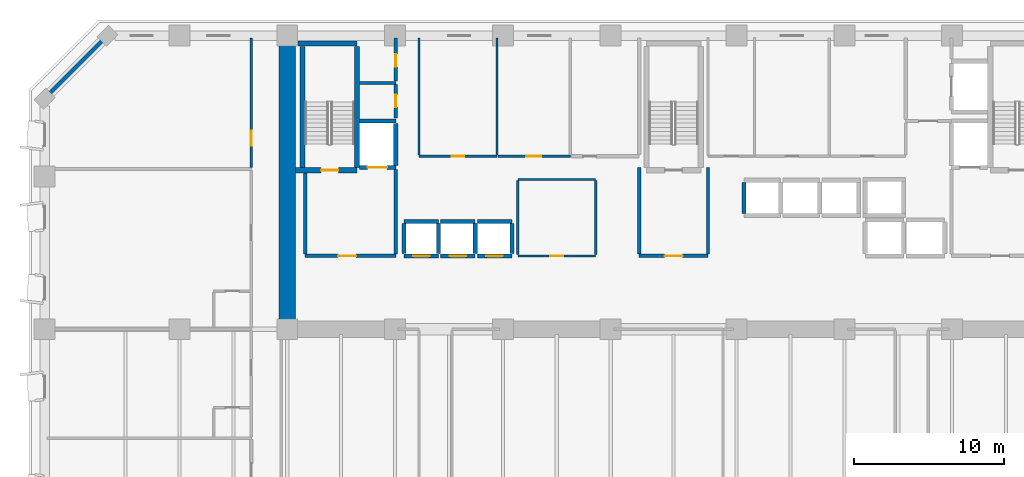
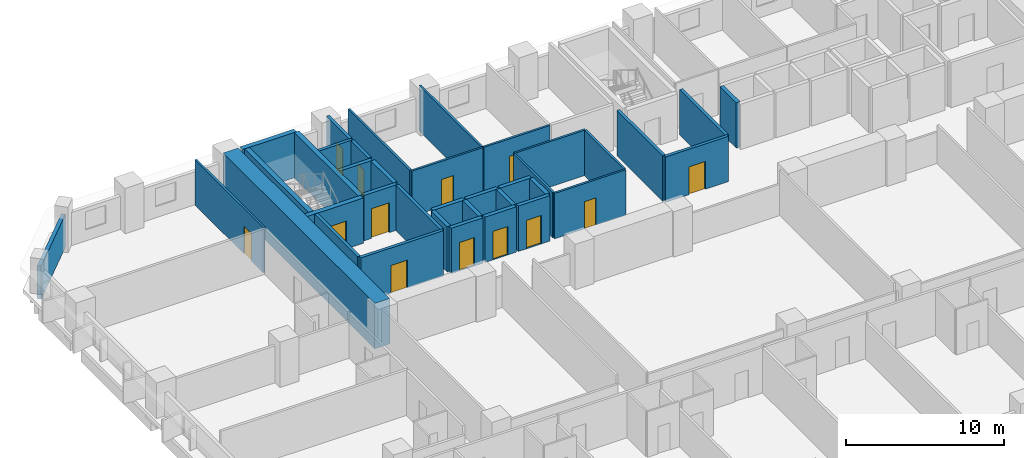
# One storey, part 7 of 15: 38 walls, 13 doors, 13 openings.
"""IFC4 building model written with IfcOpenShell, lengths in metres."""

import ifcopenshell
import ifcopenshell.guid

model = None  # the IFC model being written
_history = None  # IfcOwnerHistory: only IFC2X3 demands one
_inside = {}  # id of a spatial element -> (the spatial element, [elements in it])
_under = {}  # id of a project, library or spatial element -> (it, [spatial elements below it])
_declared = {}  # id of a project -> (the project, [libraries it declares])
_typed = {}  # id of a type object -> (the type object, [elements of that type])
_made_of = {}  # id of a material, layer set ... -> (it, [elements and type objects made of it])


def new_model(schema):
    """Start an empty IFC model of exactly this schema.

    Asked for "IFC4X3", IfcOpenShell would pick the latest addendum, in which some entities
    have other attributes; the version numbers below select the first issue.
    IFC2X3 requires an IfcOwnerHistory on every rooted entity: one is made here for all.
    """
    global model, _history
    if schema == "IFC4X3":
        model = ifcopenshell.file(schema_version=(4, 3, 0, 0))
    else:
        model = ifcopenshell.file(schema=schema)
    _inside.clear()
    _under.clear()
    _declared.clear()
    _typed.clear()
    _made_of.clear()
    _history = None
    if model.schema == "IFC2X3":
        org = make("IfcOrganization", Name="unknown")
        user = make(
            "IfcPersonAndOrganization",
            ThePerson=make("IfcPerson", FamilyName="unknown"),
            TheOrganization=org,
        )
        app = make(
            "IfcApplication",
            ApplicationDeveloper=org,
            Version="unknown",
            ApplicationFullName="unknown",
            ApplicationIdentifier="unknown",
        )
        _history = make(
            "IfcOwnerHistory",
            OwningUser=user,
            OwningApplication=app,
            ChangeAction="ADDED",
            CreationDate=0,
        )
    return model


def make(cls, **values):
    """One entity of the class cls with the attributes given. An attribute that is None is left unset."""
    return model.create_entity(
        cls, **{name: value for name, value in values.items() if value is not None}
    )


def rooted(cls, **values):
    """An entity with a GlobalId (a new one), such as an element, a storey or a relation."""
    return make(cls, GlobalId=ifcopenshell.guid.new(), OwnerHistory=_history, **values)


def si_unit(unit_type, name, prefix=None):
    """IfcSIUnit, for example si_unit("LENGTHUNIT", "METRE", prefix="MILLI")."""
    return make("IfcSIUnit", UnitType=unit_type, Prefix=prefix, Name=name)


def assignment(units):
    """IfcUnitAssignment: the units of a project."""
    return None if units is None else make("IfcUnitAssignment", Units=units)


def point(xyz):
    """IfcCartesianPoint."""
    return None if xyz is None else make("IfcCartesianPoint", Coordinates=xyz)


def direction(xyz):
    """IfcDirection."""
    return None if xyz is None else make("IfcDirection", DirectionRatios=xyz)


def frame(location, z_axis=None, x_axis=None):
    """IfcAxis2Placement3D, a coordinate frame: its origin and axes. An axis left out is left unset."""
    return make(
        "IfcAxis2Placement3D",
        Location=point(location),
        Axis=direction(z_axis),
        RefDirection=direction(x_axis),
    )


def frame_2d(location, x_axis=None):
    """IfcAxis2Placement2D, a coordinate frame in the plane: its origin and x axis."""
    return make(
        "IfcAxis2Placement2D", Location=point(location), RefDirection=direction(x_axis)
    )


def origin():
    """The frame at (0, 0, 0) with its axes left unset."""
    return frame((0.0, 0.0, 0.0))


def place(relative_to, where):
    """IfcLocalPlacement: puts the frame where relative to a parent placement (None: the world)."""
    return make(
        "IfcLocalPlacement", PlacementRelTo=relative_to, RelativePlacement=where
    )


def context(
    kind, dimensions, precision=None, world=None, true_north=None, identifier=None
):
    """IfcGeometricRepresentationContext, for example the 3D "Model" context."""
    return make(
        "IfcGeometricRepresentationContext",
        ContextIdentifier=identifier,
        ContextType=kind,
        CoordinateSpaceDimension=dimensions,
        Precision=precision,
        WorldCoordinateSystem=world,
        TrueNorth=true_north,
    )


def subcontext(parent, identifier, kind, view, scale=None):
    """IfcGeometricRepresentationSubContext, for example "Body" below "Model"."""
    return make(
        "IfcGeometricRepresentationSubContext",
        ContextIdentifier=identifier,
        ContextType=kind,
        ParentContext=parent,
        TargetScale=scale,
        TargetView=view,
    )


def project(units=None, contexts=None):
    """IfcProject with its units and contexts."""
    return rooted(
        "IfcProject",
        Name="project",
        RepresentationContexts=contexts,
        UnitsInContext=assignment(units),
    )


def spatial(cls, under=None, at=None, **own):
    """A site, building, storey or space (cls), placed at a placement, below another one or the project."""
    s = rooted(cls, ObjectPlacement=at, **own)
    if under is not None:
        _under.setdefault(under.id(), (under, []))[1].append(s)
    return s


def profile(cls, at=None, kind="AREA", **sizes):
    """A parametric profile (cls). Its sizes go by their IFC names, for example OverallWidth=200.0."""
    return make(cls, ProfileType=kind, Position=at, **sizes)


def rectangle(**sizes):
    """IfcRectangleProfileDef."""
    return profile("IfcRectangleProfileDef", **sizes)


def extrude(swept, where, along, depth):
    """IfcExtrudedAreaSolid: the profile swept, set in the frame where, extruded along a direction by depth."""
    return make(
        "IfcExtrudedAreaSolid",
        SweptArea=swept,
        Position=where,
        ExtrudedDirection=direction(along),
        Depth=depth,
    )


def shape(context_of_items, identifier, shape_type, items):
    """IfcShapeRepresentation: the items that make up one representation, for example the "Body"."""
    return make(
        "IfcShapeRepresentation",
        ContextOfItems=context_of_items,
        RepresentationIdentifier=identifier,
        RepresentationType=shape_type,
        Items=items,
    )


def material(Name=None, Category=None):
    """IfcMaterial."""
    return make("IfcMaterial", Name=Name, Category=Category)


def layer(
    of_material, thickness, ventilated=None, Name=None, Category=None, Priority=None
):
    """IfcMaterialLayer: one layer of a wall or slab, of a material (None: an air gap)."""
    return make(
        "IfcMaterialLayer",
        Material=of_material,
        LayerThickness=thickness,
        IsVentilated=ventilated,
        Name=Name,
        Category=Category,
        Priority=Priority,
    )


def layer_set(layers, Name=None):
    """IfcMaterialLayerSet."""
    return make("IfcMaterialLayerSet", MaterialLayers=layers, LayerSetName=Name)


def made_of(thing, what):
    """Note that an element or type object is made of a material, layer set ...; save() writes the relation."""
    if what is not None:
        _made_of.setdefault(what.id(), (what, []))[1].append(thing)
    return thing


def type_object(cls, material=None, **own):
    """A type object (cls), such as IfcWallType, which elements share."""
    return made_of(rooted(cls, **own), material)


def element(
    cls,
    number,
    at=None,
    inside=None,
    cuts=None,
    type_object=None,
    material=None,
    context=None,
    identifier="Body",
    shape_type=None,
    held_by="IfcProductDefinitionShape",
    body=None,
    shapes=None,
    **own,
):
    """One element of the class cls, such as IfcWall. Its Tag is "e" and its number.

    at: its placement. inside: the storey or other place that contains it. cuts: it is an
    opening in that element (IfcRelVoidsElement). A single representation is given by context,
    identifier, shape_type and body (its items); several are given by shapes. held_by: the class
    of the entity that holds the representations. save() writes the other relations.
    """
    e = rooted(cls, Tag="e%d" % number, ObjectPlacement=at, **own)
    if body is not None:
        shapes = [shape(context, identifier, shape_type, body)]
    if shapes is not None:
        e.Representation = make(held_by, Representations=shapes)
    if inside is not None:
        _inside.setdefault(inside.id(), (inside, []))[1].append(e)
    if cuts is not None:
        rooted(
            "IfcRelVoidsElement", RelatingBuildingElement=cuts, RelatedOpeningElement=e
        )
    if type_object is not None:
        _typed.setdefault(type_object.id(), (type_object, []))[1].append(e)
    return made_of(e, material)


def fill(opening, filler):
    """IfcRelFillsElement: the door or window that sits in an opening."""
    return rooted(
        "IfcRelFillsElement",
        RelatingOpeningElement=opening,
        RelatedBuildingElement=filler,
    )


def aggregate(whole, parts):
    """IfcRelAggregates: a whole, such as a stair, and the parts it consists of."""
    return rooted("IfcRelAggregates", RelatingObject=whole, RelatedObjects=parts)


def save(model, path):
    """Write the relations noted so far, then the file.

    IfcRelAggregates (storeys below a building ...), IfcRelContainedInSpatialStructure (elements
    in a storey), IfcRelDefinesByType, IfcRelAssociatesMaterial and IfcRelDeclares: one each for
    every whole, place, type object, material and project.
    """
    for whole, parts in _under.values():
        aggregate(whole, parts)
    for where, things in _inside.values():
        rooted(
            "IfcRelContainedInSpatialStructure",
            RelatedElements=things,
            RelatingStructure=where,
        )
    for kind, things in _typed.values():
        rooted("IfcRelDefinesByType", RelatedObjects=things, RelatingType=kind)
    for what, things in _made_of.values():
        rooted("IfcRelAssociatesMaterial", RelatedObjects=things, RelatingMaterial=what)
    for by, libraries in _declared.values():
        rooted("IfcRelDeclares", RelatingContext=by, RelatedDefinitions=libraries)
    model.write(path)


model = new_model("IFC4")

# Units and contexts
model_context = context("Model", 3, precision=1e-05, world=origin(), true_north=direction((0.0, 1.0)))
body_context = subcontext(model_context, "Body", "Model", "MODEL_VIEW")
ifc_project = project(units=[si_unit("LENGTHUNIT", "METRE"), si_unit("AREAUNIT", "SQUARE_METRE"), si_unit("VOLUMEUNIT", "CUBIC_METRE"), si_unit("PLANEANGLEUNIT", "RADIAN"), si_unit("MASSUNIT", "GRAM", prefix="KILO")], contexts=[model_context])

# Site, building, storey
site_placement = place(None, origin())
site = spatial("IfcSite", under=ifc_project, at=site_placement, CompositionType="ELEMENT")
building_placement = place(site_placement, origin())
building = spatial("IfcBuilding", under=site, at=building_placement, Name="Kaelvorn Grand Hotel", CompositionType="ELEMENT")
storey_placement = place(building_placement, frame((0.0, 0.0, 61.39990234375)))
storey = spatial("IfcBuildingStorey", under=building, at=storey_placement, Name="L13", CompositionType="ELEMENT", Elevation=61.39990234375)

# Walls
ifc_material_1 = material(Name="Concrete C80/95", Category="concrete")
ifc_layer_1 = layer(ifc_material_1, 1.10009765625)
ifc_layer_set_1 = layer_set([ifc_layer_1], Name="Concrete C80/95")
wall_type_1 = type_object("IfcWallType", Name="WL-CORE-1100-C80", PredefinedType="SHEAR", material=ifc_layer_set_1)
wall_1_placement = place(storey_placement, frame((16.199951171875, 29.39990234375, 0.0), z_axis=(0.0, 0.0, 1.0), x_axis=(0.0, 1.0, 0.0)))
element("IfcWall", 1, at=wall_1_placement, inside=storey, type_object=wall_type_1, Name="L13 Rear-Core West Shear Wall", PredefinedType="SHEAR", context=body_context, shape_type="SweptSolid", body=[
    extrude(rectangle(XDim=19.2001953125, YDim=1.10009765625, at=frame_2d((9.60009765625, 0.0))), origin(), (0.0, 0.0, 1.0), 3.510009765625),
])
ifc_material_2 = material(Name="Concrete C40/50", Category="concrete")
ifc_layer_2 = layer(ifc_material_2, 0.260009765625)
ifc_layer_set_2 = layer_set([ifc_layer_2], Name="Concrete C40/50")
wall_type_2 = type_object("IfcWallType", Name="WL-EXT-260-C40", PredefinedType="SOLIDWALL", material=ifc_layer_set_2)
wall_2_placement = place(storey_placement, frame((4.199951171875, 49.0, 0.0), z_axis=(0.0, 0.0, 1.0), x_axis=(-0.707106781187, -0.707106781187, 0.0)))
element("IfcWall", 2, at=wall_2_placement, inside=storey, type_object=wall_type_2, Name="L13 Exterior Architectural Concrete Wall 06", PredefinedType="SOLIDWALL", context=body_context, shape_type="SweptSolid", body=[
    extrude(rectangle(XDim=5.939697265625, YDim=0.260009765625, at=frame_2d((2.9697265625, 0.0))), origin(), (0.0, 0.0, 1.0), 2.56005859375),
])

# Wall, opening, door
ifc_material_3 = material(Name="Acoustic Gypsum & Stud Partition")
ifc_layer_3 = layer(ifc_material_3, 0.14990234375)
ifc_layer_set_3 = layer_set([ifc_layer_3], Name="Acoustic Gypsum & Stud Partition")
wall_type_3 = type_object("IfcWallType", Name="WL-PART-150-EI60", PredefinedType="PARTITIONING", material=ifc_layer_set_3)
wall_3_placement = place(storey_placement, frame((31.60009765625, 34.300048828125, 0.0), z_axis=(0.0, 0.0, 1.0), x_axis=(1.0, 0.0, 0.0)))
wall_3 = element("IfcWall", 3, at=wall_3_placement, inside=storey, type_object=wall_type_3, Name="L13 Core Telecoms & BMS Server Room S Partition", PredefinedType="PARTITIONING", context=body_context, shape_type="SweptSolid", body=[
    extrude(rectangle(XDim=5.199951171875, YDim=0.14990234375, at=frame_2d((2.60009765625, 0.0))), origin(), (0.0, 0.0, 1.0), 3.510009765625),
])
opening_1_placement = place(wall_3_placement, frame((2.175048828125, 0.0, 0.0)))
opening_1 = element("IfcOpeningElement", 4, at=opening_1_placement, cuts=wall_3, Name="Opening DI7", PredefinedType="OPENING", context=body_context, shape_type="SweptSolid", body=[
    extrude(rectangle(XDim=0.85009765625, YDim=2.10009765625, at=frame_2d((0.425048828125, 1.050048828125))), frame((0.0, 0.0849609375, 0.0), z_axis=(0.0, -1.0, 0.0), x_axis=(1.0, 0.0, 0.0)), (0.0, 0.0, 1.0), 0.169921875),
])
ifc_material_4 = material(Name="Powder-Coated Steel Leaf", Category="steel")
door_type_1 = type_object("IfcDoorType", Name="DR-INT-RISER-850x2100", OperationType="NOTDEFINED", PredefinedType="DOOR", material=ifc_material_4)
door_1_placement = place(opening_1_placement, origin())
door_1 = element("IfcDoor", 5, at=door_1_placement, inside=storey, type_object=door_type_1, Name="L13 Core Telecoms & BMS Server Room Door", OperationType="SINGLE_SWING_LEFT", OverallHeight=2.10009765625, OverallWidth=0.85009765625, PredefinedType="DOOR", context=body_context, shape_type="SweptSolid", body=[
    extrude(rectangle(XDim=0.85009765625, YDim=2.10009765625, at=frame_2d((0.425048828125, 1.050048828125))), frame((0.0, 0.02490234375, 0.0), z_axis=(0.0, -1.0, 0.0), x_axis=(1.0, 0.0, 0.0)), (0.0, 0.0, 1.0), 0.050048828125),
])
fill(opening_1, door_1)

# Walls
wall_4_placement = place(storey_placement, frame((31.60009765625, 39.39990234375, 0.0), z_axis=(0.0, 0.0, 1.0), x_axis=(1.0, 0.0, 0.0)))
element("IfcWall", 6, at=wall_4_placement, inside=storey, type_object=wall_type_3, Name="L13 Core Telecoms & BMS Server Room N Partition", PredefinedType="PARTITIONING", context=body_context, shape_type="SweptSolid", body=[
    extrude(rectangle(XDim=5.199951171875, YDim=0.14990234375, at=frame_2d((2.60009765625, 0.0))), origin(), (0.0, 0.0, 1.0), 3.510009765625),
])
for number, where, z_axis, x_axis, name in (
    (7, (31.60009765625, 34.3798828125, 0.0), (0.0, 0.0, 1.0), (0.0, 1.0, 0.0), "L13 Core Telecoms & BMS Server Room W Partition"),
    (8, (36.800048828125, 34.3798828125, 0.0), (0.0, 0.0, 1.0), (0.0, 1.0, 0.0), "L13 Core Telecoms & BMS Server Room E Partition"),
):
    element("IfcWall", number, at=place(storey_placement, frame(where, z_axis=z_axis, x_axis=x_axis)), inside=storey, type_object=wall_type_3, Name=name, PredefinedType="PARTITIONING", context=body_context, shape_type="SweptSolid", body=[
        extrude(rectangle(XDim=4.940185546875, YDim=0.14990234375, at=frame_2d((2.47021484375, 0.0))), origin(), (0.0, 0.0, 1.0), 3.510009765625),
    ])

# Wall, opening, door
wall_5_placement = place(storey_placement, frame((25.0, 40.949951171875, 0.0), z_axis=(0.0, 0.0, 1.0), x_axis=(1.0, 0.0, 0.0)))
wall_5 = element("IfcWall", 9, at=wall_5_placement, inside=storey, type_object=wall_type_3, Name="L13 Housekeeping & Linen Room S Partition", PredefinedType="PARTITIONING", context=body_context, shape_type="SweptSolid", body=[
    extrude(rectangle(XDim=5.199951171875, YDim=0.14990234375, at=frame_2d((2.60009765625, 0.0))), origin(), (0.0, 0.0, 1.0), 3.510009765625),
])
opening_2_placement = place(wall_5_placement, frame((2.175048828125, 0.0, 0.0)))
opening_2 = element("IfcOpeningElement", 10, at=opening_2_placement, cuts=wall_5, Name="Opening DI7", PredefinedType="OPENING", context=body_context, shape_type="SweptSolid", body=[
    extrude(rectangle(XDim=0.85009765625, YDim=2.10009765625, at=frame_2d((0.425048828125, 1.050048828125))), frame((0.0, 0.0849609375, 0.0), z_axis=(0.0, -1.0, 0.0), x_axis=(1.0, 0.0, 0.0)), (0.0, 0.0, 1.0), 0.169921875),
])
door_2_placement = place(opening_2_placement, origin())
door_2 = element("IfcDoor", 11, at=door_2_placement, inside=storey, type_object=door_type_1, Name="L13 Housekeeping & Linen Room Door", OperationType="SINGLE_SWING_RIGHT", OverallHeight=2.10009765625, OverallWidth=0.85009765625, PredefinedType="DOOR", context=body_context, shape_type="SweptSolid", body=[
    extrude(rectangle(XDim=0.85009765625, YDim=2.10009765625, at=frame_2d((0.425048828125, 1.050048828125))), frame((0.0, 0.02490234375, 0.0), z_axis=(0.0, -1.0, 0.0), x_axis=(1.0, 0.0, 0.0)), (0.0, 0.0, 1.0), 0.050048828125),
])
fill(opening_2, door_2)

# Walls
for number, where, z_axis, x_axis, name in (
    (12, (25.0, 41.030029296875, 0.0), (0.0, 0.0, 1.0), (0.0, 1.0, 0.0), "L13 Housekeeping & Linen Room W Partition"),
    (13, (30.199951171875, 41.030029296875, 0.0), (0.0, 0.0, 1.0), (0.0, 1.0, 0.0), "L13 Housekeeping & Linen Room E Partition"),
):
    element("IfcWall", number, at=place(storey_placement, frame(where, z_axis=z_axis, x_axis=x_axis)), inside=storey, type_object=wall_type_3, Name=name, PredefinedType="PARTITIONING", context=body_context, shape_type="SweptSolid", body=[
        extrude(rectangle(XDim=7.820068359375, YDim=0.14990234375, at=frame_2d((3.91015625, 0.0))), origin(), (0.0, 0.0, 1.0), 3.510009765625),
    ])

# Wall, opening, door
wall_6_placement = place(storey_placement, frame((30.280029296875, 40.949951171875, 0.0), z_axis=(0.0, 0.0, 1.0), x_axis=(1.0, 0.0, 0.0)))
wall_6 = element("IfcWall", 14, at=wall_6_placement, inside=storey, type_object=wall_type_3, Name="L13 Room Service Servery Pantry S Partition", PredefinedType="PARTITIONING", context=body_context, shape_type="SweptSolid", body=[
    extrude(rectangle(XDim=4.820068359375, YDim=0.14990234375, at=frame_2d((2.41015625, 0.0))), origin(), (0.0, 0.0, 1.0), 3.510009765625),
])
opening_3_placement = place(wall_6_placement, frame((1.8701171875, 0.0, 0.0)))
opening_3 = element("IfcOpeningElement", 15, at=opening_3_placement, cuts=wall_6, Name="Opening DI3", PredefinedType="OPENING", context=body_context, shape_type="SweptSolid", body=[
    extrude(rectangle(XDim=1.0, YDim=2.14990234375, at=frame_2d((0.5, 1.074951171875))), frame((0.0, 0.0849609375, 0.0), z_axis=(0.0, -1.0, 0.0), x_axis=(1.0, 0.0, 0.0)), (0.0, 0.0, 1.0), 0.169921875),
])
ifc_material_5 = material(Name="Timber Veneer Fire Leaf", Category="wood")
door_type_2 = type_object("IfcDoorType", Name="DR-INT-GUEST-1000x2150", OperationType="NOTDEFINED", PredefinedType="DOOR", material=ifc_material_5)
door_3_placement = place(opening_3_placement, origin())
door_3 = element("IfcDoor", 16, at=door_3_placement, inside=storey, type_object=door_type_2, Name="L13 Room Service Servery Pantry Door", OperationType="SINGLE_SWING_LEFT", OverallHeight=2.14990234375, OverallWidth=1.0, PredefinedType="DOOR", context=body_context, shape_type="SweptSolid", body=[
    extrude(rectangle(XDim=1.0, YDim=2.14990234375, at=frame_2d((0.5, 1.074951171875))), frame((0.0, 0.02490234375, 0.0), z_axis=(0.0, -1.0, 0.0), x_axis=(1.0, 0.0, 0.0)), (0.0, 0.0, 1.0), 0.050048828125),
])
fill(opening_3, door_3)

wall_7_placement = place(storey_placement, frame((13.800048828125, 40.195068359375, 0.0), z_axis=(0.0, 0.0, 1.0), x_axis=(0.0, 1.0, 0.0)))
wall_7 = element("IfcWall", 17, at=wall_7_placement, inside=storey, type_object=wall_type_3, Name="L13 North-West Executive Meeting Room E Partition", PredefinedType="PARTITIONING", context=body_context, shape_type="SweptSolid", body=[
    extrude(rectangle(XDim=8.655029296875, YDim=0.14990234375, at=frame_2d((4.32763671875, 0.0))), origin(), (0.0, 0.0, 1.0), 3.510009765625),
])
opening_4_placement = place(wall_7_placement, frame((1.455078125, 0.0, 0.0)))
opening_4 = element("IfcOpeningElement", 18, at=opening_4_placement, cuts=wall_7, Name="Opening DI3", PredefinedType="OPENING", context=body_context, shape_type="SweptSolid", body=[
    extrude(rectangle(XDim=1.0, YDim=2.14990234375, at=frame_2d((0.5, 1.074951171875))), frame((0.0, 0.0849609375, 0.0), z_axis=(0.0, -1.0, 0.0), x_axis=(1.0, 0.0, 0.0)), (0.0, 0.0, 1.0), 0.169921875),
])
door_4_placement = place(opening_4_placement, origin())
door_4 = element("IfcDoor", 19, at=door_4_placement, inside=storey, type_object=door_type_2, Name="L13 North-West Executive Meeting Room Door", OperationType="SINGLE_SWING_LEFT", OverallHeight=2.14990234375, OverallWidth=1.0, PredefinedType="DOOR", context=body_context, shape_type="SweptSolid", body=[
    extrude(rectangle(XDim=1.0, YDim=2.14990234375, at=frame_2d((0.5, 1.074951171875))), frame((0.0, 0.02490234375, 0.0), z_axis=(0.0, -1.0, 0.0), x_axis=(1.0, 0.0, 0.0)), (0.0, 0.0, 1.0), 0.050048828125),
])
fill(opening_4, door_4)

ifc_layer_4 = layer(ifc_material_2, 0.219970703125)
ifc_layer_set_4 = layer_set([ifc_layer_4], Name="Concrete C40/50")
wall_type_4 = type_object("IfcWallType", Name="WL-PART-220-EI120", PredefinedType="PARTITIONING", material=ifc_layer_set_4)
wall_8_placement = place(storey_placement, frame((17.39990234375, 34.300048828125, 0.0), z_axis=(0.0, 0.0, 1.0), x_axis=(1.0, 0.0, 0.0)))
wall_8 = element("IfcWall", 20, at=wall_8_placement, inside=storey, type_object=wall_type_4, Name="L13 Firefighting Lift Lobby 1 S Partition", PredefinedType="PARTITIONING", context=body_context, shape_type="SweptSolid", body=[
    extrude(rectangle(XDim=6.050048828125, YDim=0.219970703125, at=frame_2d((3.02490234375, 0.0))), origin(), (0.0, 0.0, 1.0), 3.510009765625),
])
opening_5_placement = place(wall_8_placement, frame((2.199951171875, 0.0, 0.0)))
opening_5 = element("IfcOpeningElement", 21, at=opening_5_placement, cuts=wall_8, Name="Opening DI2", PredefinedType="OPENING", context=body_context, shape_type="SweptSolid", body=[
    extrude(rectangle(XDim=1.199951171875, YDim=2.14990234375, at=frame_2d((0.60009765625, 1.074951171875))), frame((0.0, 0.1201171875, 0.0), z_axis=(0.0, -1.0, 0.0), x_axis=(1.0, 0.0, 0.0)), (0.0, 0.0, 1.0), 0.239990234375),
])
door_type_3 = type_object("IfcDoorType", Name="DR-INT-FFLOB-1200x2150", OperationType="NOTDEFINED", PredefinedType="DOOR", material=ifc_material_5)
door_5_placement = place(opening_5_placement, origin())
door_5 = element("IfcDoor", 22, at=door_5_placement, inside=storey, type_object=door_type_3, Name="L13 Firefighting Lift Lobby 1 Door", OperationType="SINGLE_SWING_LEFT", OverallHeight=2.14990234375, OverallWidth=1.199951171875, PredefinedType="DOOR", context=body_context, shape_type="SweptSolid", body=[
    extrude(rectangle(XDim=1.199951171875, YDim=2.14990234375, at=frame_2d((0.60009765625, 1.074951171875))), frame((0.0, 0.02490234375, 0.0), z_axis=(0.0, -1.0, 0.0), x_axis=(1.0, 0.0, 0.0)), (0.0, 0.0, 1.0), 0.050048828125),
])
fill(opening_5, door_5)

# Walls
wall_9_placement = place(storey_placement, frame((17.39990234375, 34.4150390625, 0.0), z_axis=(0.0, 0.0, 1.0), x_axis=(0.0, 1.0, 0.0)))
element("IfcWall", 23, at=wall_9_placement, inside=storey, type_object=wall_type_4, Name="L13 Firefighting Lift Lobby 1 W Partition", PredefinedType="PARTITIONING", context=body_context, shape_type="SweptSolid", body=[
    extrude(rectangle(XDim=5.429931640625, YDim=0.219970703125, at=frame_2d((2.71484375, 0.0))), origin(), (0.0, 0.0, 1.0), 3.510009765625),
])
wall_10_placement = place(storey_placement, frame((23.449951171875, 34.4150390625, 0.0), z_axis=(0.0, 0.0, 1.0), x_axis=(0.0, 1.0, 0.0)))
element("IfcWall", 24, at=wall_10_placement, inside=storey, type_object=wall_type_4, Name="L13 Firefighting Lift Lobby 1 E Partition", PredefinedType="PARTITIONING", context=body_context, shape_type="SweptSolid", body=[
    extrude(rectangle(XDim=5.639892578125, YDim=0.219970703125, at=frame_2d((2.81982421875, 0.0))), origin(), (0.0, 0.0, 1.0), 3.510009765625),
])

# Wall, opening, door
wall_11_placement = place(storey_placement, frame((39.699951171875, 34.300048828125, 0.0), z_axis=(0.0, 0.0, 1.0), x_axis=(1.0, 0.0, 0.0)))
wall_11 = element("IfcWall", 25, at=wall_11_placement, inside=storey, type_object=wall_type_4, Name="L13 Central Stair Escape Vestibule S Partition", PredefinedType="PARTITIONING", context=body_context, shape_type="SweptSolid", body=[
    extrude(rectangle(XDim=4.60009765625, YDim=0.219970703125, at=frame_2d((2.300048828125, 0.0))), origin(), (0.0, 0.0, 1.0), 3.510009765625),
])
opening_6_placement = place(wall_11_placement, frame((1.699951171875, 0.0, 0.0)))
opening_6 = element("IfcOpeningElement", 26, at=opening_6_placement, cuts=wall_11, Name="Opening DI2", PredefinedType="OPENING", context=body_context, shape_type="SweptSolid", body=[
    extrude(rectangle(XDim=1.199951171875, YDim=2.14990234375, at=frame_2d((0.60009765625, 1.074951171875))), frame((0.0, 0.1201171875, 0.0), z_axis=(0.0, -1.0, 0.0), x_axis=(1.0, 0.0, 0.0)), (0.0, 0.0, 1.0), 0.239990234375),
])
door_6_placement = place(opening_6_placement, origin())
door_6 = element("IfcDoor", 27, at=door_6_placement, inside=storey, type_object=door_type_3, Name="L13 Central Stair Escape Vestibule Door", OperationType="SINGLE_SWING_LEFT", OverallHeight=2.14990234375, OverallWidth=1.199951171875, PredefinedType="DOOR", context=body_context, shape_type="SweptSolid", body=[
    extrude(rectangle(XDim=1.199951171875, YDim=2.14990234375, at=frame_2d((0.60009765625, 1.074951171875))), frame((0.0, 0.02490234375, 0.0), z_axis=(0.0, -1.0, 0.0), x_axis=(1.0, 0.0, 0.0)), (0.0, 0.0, 1.0), 0.050048828125),
])
fill(opening_6, door_6)

# Walls
for number, where, z_axis, x_axis, name in (
    (28, (39.699951171875, 34.4150390625, 0.0), (0.0, 0.0, 1.0), (0.0, 1.0, 0.0), "L13 Central Stair Escape Vestibule W Partition"),
    (29, (44.300048828125, 34.4150390625, 0.0), (0.0, 0.0, 1.0), (0.0, 1.0, 0.0), "L13 Central Stair Escape Vestibule E Partition"),
):
    element("IfcWall", number, at=place(storey_placement, frame(where, z_axis=z_axis, x_axis=x_axis)), inside=storey, type_object=wall_type_4, Name=name, PredefinedType="PARTITIONING", context=body_context, shape_type="SweptSolid", body=[
        extrude(rectangle(XDim=5.784912109375, YDim=0.219970703125, at=frame_2d((2.892578125, 0.0))), origin(), (0.0, 0.0, 1.0), 3.510009765625),
    ])
wall_12_placement = place(storey_placement, frame((21.034912109375, 45.85009765625, 0.0), z_axis=(0.0, 0.0, 1.0), x_axis=(1.0, 0.0, 0.0)))
element("IfcWall", 30, at=wall_12_placement, inside=storey, type_object=wall_type_4, Name="L13 Wet Fire & Plumbing Riser Shaft N Partition", PredefinedType="PARTITIONING", context=body_context, shape_type="SweptSolid", body=[
    extrude(rectangle(XDim=2.4150390625, YDim=0.219970703125, at=frame_2d((1.20751953125, 0.0))), origin(), (0.0, 0.0, 1.0), 3.510009765625),
])

# Wall, opening, door
wall_13_placement = place(storey_placement, frame((23.449951171875, 43.5, 0.0), z_axis=(0.0, 0.0, 1.0), x_axis=(0.0, 1.0, 0.0)))
wall_13 = element("IfcWall", 31, at=wall_13_placement, inside=storey, type_object=wall_type_4, Name="L13 Wet Fire & Plumbing Riser Shaft E Partition", PredefinedType="PARTITIONING", context=body_context, shape_type="SweptSolid", body=[
    extrude(rectangle(XDim=2.235107421875, YDim=0.219970703125, at=frame_2d((1.11767578125, 0.0))), origin(), (0.0, 0.0, 1.0), 3.510009765625),
])
opening_7_placement = place(wall_13_placement, frame((0.72509765625, 0.0, 0.0)))
opening_7 = element("IfcOpeningElement", 32, at=opening_7_placement, cuts=wall_13, Name="Opening DI7", PredefinedType="OPENING", context=body_context, shape_type="SweptSolid", body=[
    extrude(rectangle(XDim=0.85009765625, YDim=2.10009765625, at=frame_2d((0.425048828125, 1.050048828125))), frame((0.0, 0.1201171875, 0.0), z_axis=(0.0, -1.0, 0.0), x_axis=(1.0, 0.0, 0.0)), (0.0, 0.0, 1.0), 0.239990234375),
])
door_7_placement = place(opening_7_placement, origin())
door_7 = element("IfcDoor", 33, at=door_7_placement, inside=storey, type_object=door_type_1, Name="L13 Wet Fire & Plumbing Riser Shaft Door", OperationType="SINGLE_SWING_LEFT", OverallHeight=2.10009765625, OverallWidth=0.85009765625, PredefinedType="DOOR", context=body_context, shape_type="SweptSolid", body=[
    extrude(rectangle(XDim=0.85009765625, YDim=2.10009765625, at=frame_2d((0.425048828125, 1.050048828125))), frame((0.0, 0.02490234375, 0.0), z_axis=(0.0, -1.0, 0.0), x_axis=(1.0, 0.0, 0.0)), (0.0, 0.0, 1.0), 0.050048828125),
])
fill(opening_7, door_7)

wall_14_placement = place(storey_placement, frame((23.449951171875, 45.965087890625, 0.0), z_axis=(0.0, 0.0, 1.0), x_axis=(0.0, 1.0, 0.0)))
wall_14 = element("IfcWall", 34, at=wall_14_placement, inside=storey, type_object=wall_type_4, Name="L13 HV Electrical & Smoke Riser E Partition", PredefinedType="PARTITIONING", context=body_context, shape_type="SweptSolid", body=[
    extrude(rectangle(XDim=2.885009765625, YDim=0.219970703125, at=frame_2d((1.4423828125, 0.0))), origin(), (0.0, 0.0, 1.0), 3.510009765625),
])
opening_8_placement = place(wall_14_placement, frame((0.9599609375, 0.0, 0.0)))
opening_8 = element("IfcOpeningElement", 35, at=opening_8_placement, cuts=wall_14, Name="Opening DI7", PredefinedType="OPENING", context=body_context, shape_type="SweptSolid", body=[
    extrude(rectangle(XDim=0.85009765625, YDim=2.10009765625, at=frame_2d((0.425048828125, 1.050048828125))), frame((0.0, 0.1201171875, 0.0), z_axis=(0.0, -1.0, 0.0), x_axis=(1.0, 0.0, 0.0)), (0.0, 0.0, 1.0), 0.239990234375),
])
door_8_placement = place(opening_8_placement, origin())
door_8 = element("IfcDoor", 36, at=door_8_placement, inside=storey, type_object=door_type_1, Name="L13 HV Electrical & Smoke Riser Door", OperationType="SINGLE_SWING_RIGHT", OverallHeight=2.10009765625, OverallWidth=0.85009765625, PredefinedType="DOOR", context=body_context, shape_type="SweptSolid", body=[
    extrude(rectangle(XDim=0.85009765625, YDim=2.10009765625, at=frame_2d((0.425048828125, 1.050048828125))), frame((0.0, 0.02490234375, 0.0), z_axis=(0.0, -1.0, 0.0), x_axis=(1.0, 0.0, 0.0)), (0.0, 0.0, 1.0), 0.050048828125),
])
fill(opening_8, door_8)

ifc_material_6 = material(Name="Concrete C50/60", Category="concrete")
ifc_layer_5 = layer(ifc_material_6, 0.280029296875)
ifc_layer_set_5 = layer_set([ifc_layer_5], Name="Concrete C50/60")
wall_type_5 = type_object("IfcWallType", Name="WL-SHAFT-280-C50", PredefinedType="SHEAR", material=ifc_layer_set_5)
wall_15_placement = place(storey_placement, frame((24.0, 34.300048828125, 0.0), z_axis=(0.0, 0.0, 1.0), x_axis=(1.0, 0.0, 0.0)))
wall_15 = element("IfcWall", 37, at=wall_15_placement, inside=storey, type_object=wall_type_5, Name="L13 Lift PL-L1 Shaft South Wall", PredefinedType="SHEAR", context=body_context, shape_type="SweptSolid", body=[
    extrude(rectangle(XDim=2.300048828125, YDim=0.280029296875, at=frame_2d((1.14990234375, 0.0))), origin(), (0.0, 0.0, 1.0), 3.510009765625),
])
opening_9_placement = place(wall_15_placement, frame((0.60009765625, 0.0, 0.0)))
opening_9 = element("IfcOpeningElement", 38, at=opening_9_placement, cuts=wall_15, Name="Opening LD-PL-L1", PredefinedType="OPENING", context=body_context, shape_type="SweptSolid", body=[
    extrude(rectangle(XDim=1.10009765625, YDim=2.199951171875, at=frame_2d((0.550048828125, 1.10009765625))), frame((0.0, 0.14990234375, 0.0), z_axis=(0.0, -1.0, 0.0), x_axis=(1.0, 0.0, 0.0)), (0.0, 0.0, 1.0), 0.300048828125),
])
ifc_material_7 = material(Name="Stainless Steel", Category="steel")
door_type_4 = type_object("IfcDoorType", Name="DR-LIFT-PASS-1100x2200", OperationType="DOUBLE_DOOR_SLIDING", PredefinedType="DOOR", material=ifc_material_7)
door_9_placement = place(opening_9_placement, origin())
door_9 = element("IfcDoor", 39, at=door_9_placement, inside=storey, type_object=door_type_4, Name="L13 Lift PL-L1 Sliding Landing Door LD-PL-L1", OperationType="DOUBLE_DOOR_SLIDING", OverallHeight=2.199951171875, OverallWidth=1.10009765625, PredefinedType="DOOR", context=body_context, shape_type="SweptSolid", body=[
    extrude(rectangle(XDim=1.10009765625, YDim=2.199951171875, at=frame_2d((0.550048828125, 1.10009765625))), frame((0.0, 0.02490234375, 0.0), z_axis=(0.0, -1.0, 0.0), x_axis=(1.0, 0.0, 0.0)), (0.0, 0.0, 1.0), 0.050048828125),
])
fill(opening_9, door_9)

# Walls
wall_16_placement = place(storey_placement, frame((24.0, 36.60009765625, 0.0), z_axis=(0.0, 0.0, 1.0), x_axis=(1.0, 0.0, 0.0)))
element("IfcWall", 40, at=wall_16_placement, inside=storey, type_object=wall_type_5, Name="L13 Lift PL-L1 Shaft North Wall", PredefinedType="SHEAR", context=body_context, shape_type="SweptSolid", body=[
    extrude(rectangle(XDim=2.300048828125, YDim=0.280029296875, at=frame_2d((1.14990234375, 0.0))), origin(), (0.0, 0.0, 1.0), 3.510009765625),
])
for number, where, z_axis, x_axis, name in (
    (41, (24.0, 34.445068359375, 0.0), (0.0, 0.0, 1.0), (0.0, 1.0, 0.0), "L13 Lift PL-L1 Shaft West Wall"),
    (42, (26.300048828125, 34.445068359375, 0.0), (0.0, 0.0, 1.0), (0.0, 1.0, 0.0), "L13 Lift PL-L1 Shaft East Wall"),
):
    element("IfcWall", number, at=place(storey_placement, frame(where, z_axis=z_axis, x_axis=x_axis)), inside=storey, type_object=wall_type_5, Name=name, PredefinedType="SHEAR", context=body_context, shape_type="SweptSolid", body=[
        extrude(rectangle(XDim=2.010009765625, YDim=0.280029296875, at=frame_2d((1.0048828125, 0.0))), origin(), (0.0, 0.0, 1.0), 3.510009765625),
    ])

# Wall, opening, door
wall_17_placement = place(storey_placement, frame((26.449951171875, 34.300048828125, 0.0), z_axis=(0.0, 0.0, 1.0), x_axis=(1.0, 0.0, 0.0)))
wall_17 = element("IfcWall", 43, at=wall_17_placement, inside=storey, type_object=wall_type_5, Name="L13 Lift PL-L2 Shaft South Wall", PredefinedType="SHEAR", context=body_context, shape_type="SweptSolid", body=[
    extrude(rectangle(XDim=2.300048828125, YDim=0.280029296875, at=frame_2d((1.14990234375, 0.0))), origin(), (0.0, 0.0, 1.0), 3.510009765625),
])
opening_10_placement = place(wall_17_placement, frame((0.60009765625, 0.0, 0.0)))
opening_10 = element("IfcOpeningElement", 44, at=opening_10_placement, cuts=wall_17, Name="Opening LD-PL-L2", PredefinedType="OPENING", context=body_context, shape_type="SweptSolid", body=[
    extrude(rectangle(XDim=1.10009765625, YDim=2.199951171875, at=frame_2d((0.550048828125, 1.10009765625))), frame((0.0, 0.14990234375, 0.0), z_axis=(0.0, -1.0, 0.0), x_axis=(1.0, 0.0, 0.0)), (0.0, 0.0, 1.0), 0.300048828125),
])
door_10_placement = place(opening_10_placement, origin())
door_10 = element("IfcDoor", 45, at=door_10_placement, inside=storey, type_object=door_type_4, Name="L13 Lift PL-L2 Sliding Landing Door LD-PL-L2", OperationType="DOUBLE_DOOR_SLIDING", OverallHeight=2.199951171875, OverallWidth=1.10009765625, PredefinedType="DOOR", context=body_context, shape_type="SweptSolid", body=[
    extrude(rectangle(XDim=1.10009765625, YDim=2.199951171875, at=frame_2d((0.550048828125, 1.10009765625))), frame((0.0, 0.02490234375, 0.0), z_axis=(0.0, -1.0, 0.0), x_axis=(1.0, 0.0, 0.0)), (0.0, 0.0, 1.0), 0.050048828125),
])
fill(opening_10, door_10)

# Walls
wall_18_placement = place(storey_placement, frame((26.449951171875, 36.60009765625, 0.0), z_axis=(0.0, 0.0, 1.0), x_axis=(1.0, 0.0, 0.0)))
element("IfcWall", 46, at=wall_18_placement, inside=storey, type_object=wall_type_5, Name="L13 Lift PL-L2 Shaft North Wall", PredefinedType="SHEAR", context=body_context, shape_type="SweptSolid", body=[
    extrude(rectangle(XDim=2.300048828125, YDim=0.280029296875, at=frame_2d((1.14990234375, 0.0))), origin(), (0.0, 0.0, 1.0), 3.510009765625),
])
wall_19_placement = place(storey_placement, frame((28.75, 34.445068359375, 0.0), z_axis=(0.0, 0.0, 1.0), x_axis=(0.0, 1.0, 0.0)))
element("IfcWall", 47, at=wall_19_placement, inside=storey, type_object=wall_type_5, Name="L13 Lift PL-L2 Shaft East Wall", PredefinedType="SHEAR", context=body_context, shape_type="SweptSolid", body=[
    extrude(rectangle(XDim=2.010009765625, YDim=0.280029296875, at=frame_2d((1.0048828125, 0.0))), origin(), (0.0, 0.0, 1.0), 3.510009765625),
])

# Wall, opening, door
wall_20_placement = place(storey_placement, frame((28.89990234375, 34.300048828125, 0.0), z_axis=(0.0, 0.0, 1.0), x_axis=(1.0, 0.0, 0.0)))
wall_20 = element("IfcWall", 48, at=wall_20_placement, inside=storey, type_object=wall_type_5, Name="L13 Lift PL-L3 Shaft South Wall", PredefinedType="SHEAR", context=body_context, shape_type="SweptSolid", body=[
    extrude(rectangle(XDim=2.300048828125, YDim=0.280029296875, at=frame_2d((1.14990234375, 0.0))), origin(), (0.0, 0.0, 1.0), 3.510009765625),
])
opening_11_placement = place(wall_20_placement, frame((0.60009765625, 0.0, 0.0)))
opening_11 = element("IfcOpeningElement", 49, at=opening_11_placement, cuts=wall_20, Name="Opening LD-PL-L3", PredefinedType="OPENING", context=body_context, shape_type="SweptSolid", body=[
    extrude(rectangle(XDim=1.10009765625, YDim=2.199951171875, at=frame_2d((0.550048828125, 1.10009765625))), frame((0.0, 0.14990234375, 0.0), z_axis=(0.0, -1.0, 0.0), x_axis=(1.0, 0.0, 0.0)), (0.0, 0.0, 1.0), 0.300048828125),
])
door_11_placement = place(opening_11_placement, origin())
door_11 = element("IfcDoor", 50, at=door_11_placement, inside=storey, type_object=door_type_4, Name="L13 Lift PL-L3 Sliding Landing Door LD-PL-L3", OperationType="DOUBLE_DOOR_SLIDING", OverallHeight=2.199951171875, OverallWidth=1.10009765625, PredefinedType="DOOR", context=body_context, shape_type="SweptSolid", body=[
    extrude(rectangle(XDim=1.10009765625, YDim=2.199951171875, at=frame_2d((0.550048828125, 1.10009765625))), frame((0.0, 0.02490234375, 0.0), z_axis=(0.0, -1.0, 0.0), x_axis=(1.0, 0.0, 0.0)), (0.0, 0.0, 1.0), 0.050048828125),
])
fill(opening_11, door_11)

# Walls
wall_21_placement = place(storey_placement, frame((28.89990234375, 36.60009765625, 0.0), z_axis=(0.0, 0.0, 1.0), x_axis=(1.0, 0.0, 0.0)))
element("IfcWall", 51, at=wall_21_placement, inside=storey, type_object=wall_type_5, Name="L13 Lift PL-L3 Shaft North Wall", PredefinedType="SHEAR", context=body_context, shape_type="SweptSolid", body=[
    extrude(rectangle(XDim=2.300048828125, YDim=0.280029296875, at=frame_2d((1.14990234375, 0.0))), origin(), (0.0, 0.0, 1.0), 3.510009765625),
])
wall_22_placement = place(storey_placement, frame((31.199951171875, 34.445068359375, 0.0), z_axis=(0.0, 0.0, 1.0), x_axis=(0.0, 1.0, 0.0)))
element("IfcWall", 52, at=wall_22_placement, inside=storey, type_object=wall_type_5, Name="L13 Lift PL-L3 Shaft East Wall", PredefinedType="SHEAR", context=body_context, shape_type="SweptSolid", body=[
    extrude(rectangle(XDim=2.010009765625, YDim=0.280029296875, at=frame_2d((1.0048828125, 0.0))), origin(), (0.0, 0.0, 1.0), 3.510009765625),
])
wall_23_placement = place(storey_placement, frame((46.699951171875, 37.14501953125, 0.0), z_axis=(0.0, 0.0, 1.0), x_axis=(0.0, 1.0, 0.0)))
element("IfcWall", 53, at=wall_23_placement, inside=storey, type_object=wall_type_5, Name="L13 Lift SL-1 Shaft West Wall", PredefinedType="SHEAR", context=body_context, shape_type="SweptSolid", body=[
    extrude(rectangle(XDim=2.06005859375, YDim=0.280029296875, at=frame_2d((1.030029296875, 0.0))), origin(), (0.0, 0.0, 1.0), 3.510009765625),
])

# Wall, opening, door
wall_24_placement = place(storey_placement, frame((21.034912109375, 40.199951171875, 0.0), z_axis=(0.0, 0.0, 1.0), x_axis=(1.0, 0.0, 0.0)))
wall_24 = element("IfcWall", 54, at=wall_24_placement, inside=storey, type_object=wall_type_5, Name="L13 Lift FFL1 Shaft South Wall", PredefinedType="SHEAR", context=body_context, shape_type="SweptSolid", body=[
    extrude(rectangle(XDim=2.4150390625, YDim=0.280029296875, at=frame_2d((1.20751953125, 0.0))), origin(), (0.0, 0.0, 1.0), 3.510009765625),
])
opening_12_placement = place(wall_24_placement, frame((0.5400390625, 0.0, 0.0)))
opening_12 = element("IfcOpeningElement", 55, at=opening_12_placement, cuts=wall_24, Name="Opening LD-FFL1", PredefinedType="OPENING", context=body_context, shape_type="SweptSolid", body=[
    extrude(rectangle(XDim=1.300048828125, YDim=2.300048828125, at=frame_2d((0.64990234375, 1.14990234375))), frame((0.0, 0.14990234375, 0.0), z_axis=(0.0, -1.0, 0.0), x_axis=(1.0, 0.0, 0.0)), (0.0, 0.0, 1.0), 0.300048828125),
])
door_type_5 = type_object("IfcDoorType", Name="DR-LIFT-SERV-1300x2300", OperationType="DOUBLE_DOOR_SLIDING", PredefinedType="DOOR", material=ifc_material_7)
door_12_placement = place(opening_12_placement, origin())
door_12 = element("IfcDoor", 56, at=door_12_placement, inside=storey, type_object=door_type_5, Name="L13 Lift FFL1 Sliding Landing Door LD-FFL1", OperationType="DOUBLE_DOOR_SLIDING", OverallHeight=2.300048828125, OverallWidth=1.300048828125, PredefinedType="DOOR", context=body_context, shape_type="SweptSolid", body=[
    extrude(rectangle(XDim=1.300048828125, YDim=2.300048828125, at=frame_2d((0.64990234375, 1.14990234375))), frame((0.0, 0.02490234375, 0.0), z_axis=(0.0, -1.0, 0.0), x_axis=(1.0, 0.0, 0.0)), (0.0, 0.0, 1.0), 0.050048828125),
])
fill(opening_12, door_12)

# Walls
wall_25_placement = place(storey_placement, frame((21.034912109375, 43.300048828125, 0.0), z_axis=(0.0, 0.0, 1.0), x_axis=(1.0, 0.0, 0.0)))
element("IfcWall", 57, at=wall_25_placement, inside=storey, type_object=wall_type_5, Name="L13 Lift FFL1 Shaft North Wall", PredefinedType="SHEAR", context=body_context, shape_type="SweptSolid", body=[
    extrude(rectangle(XDim=2.4150390625, YDim=0.280029296875, at=frame_2d((1.20751953125, 0.0))), origin(), (0.0, 0.0, 1.0), 3.510009765625),
])
wall_26_placement = place(storey_placement, frame((23.449951171875, 40.344970703125, 0.0), z_axis=(0.0, 0.0, 1.0), x_axis=(0.0, 1.0, 0.0)))
element("IfcWall", 58, at=wall_26_placement, inside=storey, type_object=wall_type_5, Name="L13 Lift FFL1 Shaft East Wall", PredefinedType="SHEAR", context=body_context, shape_type="SweptSolid", body=[
    extrude(rectangle(XDim=2.81005859375, YDim=0.280029296875, at=frame_2d((1.405029296875, 0.0))), origin(), (0.0, 0.0, 1.0), 3.510009765625),
])

# Wall, opening, door
ifc_material_8 = material(Name="Concrete C60/75", Category="concrete")
ifc_layer_6 = layer(ifc_material_8, 0.35009765625)
ifc_layer_set_6 = layer_set([ifc_layer_6], Name="Concrete C60/75")
wall_type_6 = type_object("IfcWallType", Name="WL-SHAFT-350-C60", PredefinedType="SHEAR", material=ifc_layer_set_6)
wall_27_placement = place(storey_placement, frame((16.7548828125, 40.02490234375, 0.0), z_axis=(0.0, 0.0, 1.0), x_axis=(1.0, 0.0, 0.0)))
wall_27 = element("IfcWall", 59, at=wall_27_placement, inside=storey, type_object=wall_type_6, Name="L13 ST1 Stair Shaft South Wall", PredefinedType="SHEAR", context=body_context, shape_type="SweptSolid", body=[
    extrude(rectangle(XDim=4.10009765625, YDim=0.35009765625, at=frame_2d((2.050048828125, 0.0))), origin(), (0.0, 0.0, 1.0), 3.510009765625),
])
opening_13_placement = place(wall_27_placement, frame((1.7099609375, 0.0, 0.0)))
opening_13 = element("IfcOpeningElement", 60, at=opening_13_placement, cuts=wall_27, Name="Opening DI1", PredefinedType="OPENING", context=body_context, shape_type="SweptSolid", body=[
    extrude(rectangle(XDim=1.14990234375, YDim=2.14990234375, at=frame_2d((0.574951171875, 1.074951171875))), frame((0.0, 0.18505859375, 0.0), z_axis=(0.0, -1.0, 0.0), x_axis=(1.0, 0.0, 0.0)), (0.0, 0.0, 1.0), 0.3701171875),
])
door_type_6 = type_object("IfcDoorType", Name="DR-INT-STAIR-1150x2150", OperationType="NOTDEFINED", PredefinedType="DOOR", material=ifc_material_5)
door_13_placement = place(opening_13_placement, origin())
door_13 = element("IfcDoor", 61, at=door_13_placement, inside=storey, type_object=door_type_6, Name="L13 ST1 Exit Stair Fire Door", OperationType="SINGLE_SWING_RIGHT", OverallHeight=2.14990234375, OverallWidth=1.14990234375, PredefinedType="DOOR", context=body_context, shape_type="SweptSolid", body=[
    extrude(rectangle(XDim=1.14990234375, YDim=2.14990234375, at=frame_2d((0.574951171875, 1.074951171875))), frame((0.0, 0.02490234375, 0.0), z_axis=(0.0, -1.0, 0.0), x_axis=(1.0, 0.0, 0.0)), (0.0, 0.0, 1.0), 0.050048828125),
])
fill(opening_13, door_13)

# Walls
wall_28_placement = place(storey_placement, frame((16.905029296875, 48.47509765625, 0.0), z_axis=(0.0, 0.0, 1.0), x_axis=(1.0, 0.0, 0.0)))
element("IfcWall", 62, at=wall_28_placement, inside=storey, type_object=wall_type_6, Name="L13 ST1 Stair Shaft North Wall", PredefinedType="SHEAR", context=body_context, shape_type="SweptSolid", body=[
    extrude(rectangle(XDim=3.949951171875, YDim=0.35009765625, at=frame_2d((1.97509765625, 0.0))), origin(), (0.0, 0.0, 1.0), 3.510009765625),
])
for number, where, z_axis, x_axis, name in (
    (63, (17.22509765625, 40.205078125, 0.0), (0.0, 0.0, 1.0), (0.0, 1.0, 0.0), "L13 ST1 Stair Shaft West Wall"),
    (64, (20.85498046875, 40.205078125, 0.0), (0.0, 0.0, 1.0), (0.0, 1.0, 0.0), "L13 ST1 Stair Shaft East Wall"),
):
    element("IfcWall", number, at=place(storey_placement, frame(where, z_axis=z_axis, x_axis=x_axis)), inside=storey, type_object=wall_type_6, Name=name, PredefinedType="SHEAR", context=body_context, shape_type="SweptSolid", body=[
        extrude(rectangle(XDim=8.08984375, YDim=0.35009765625, at=frame_2d((4.044921875, 0.0))), origin(), (0.0, 0.0, 1.0), 3.510009765625),
    ])

save(model, "model.ifc")
